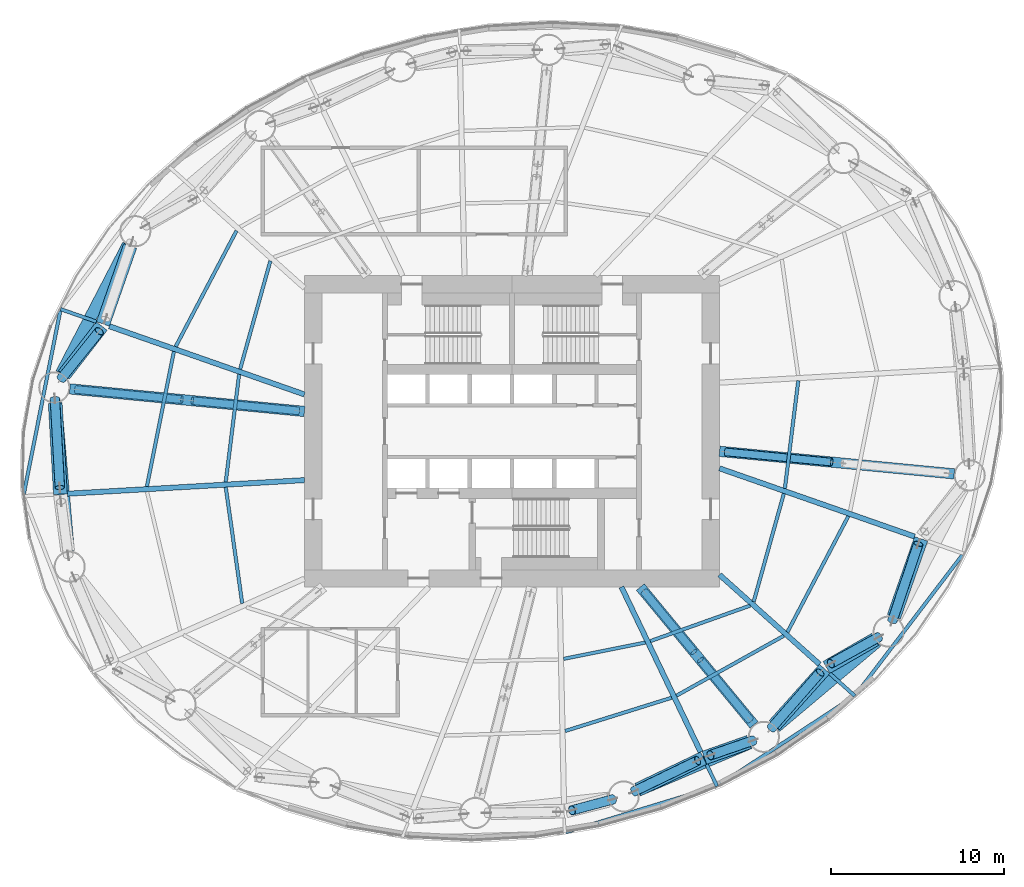
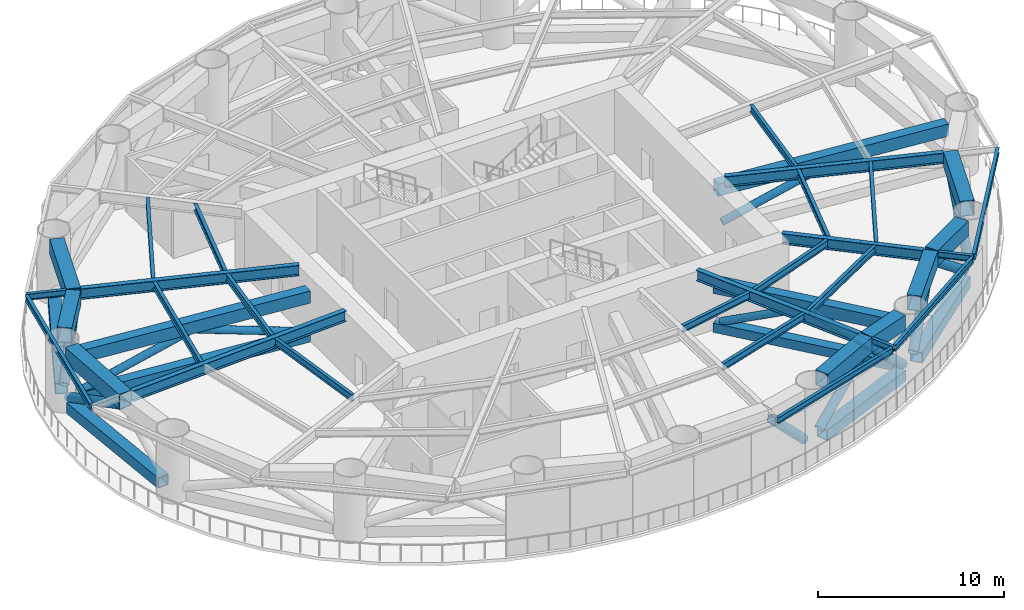
# One storey, part 2 of 15: 30 members, 24 beams.
"""IFC4 building model written with IfcOpenShell, lengths in metres."""

from ifc_helpers import new_model, si_unit, direction, frame, origin, origin_2d, place, context, subcontext, project, spatial, hollow_rectangle, hollow_circle, i_section, extrude, material, material_profile, profile_set, type_object, element, save


model = new_model("IFC4")

# Units and contexts
model_context = context("Model", 3, precision=1e-05, world=origin(), true_north=direction((0.0, 1.0)))
body_context = subcontext(model_context, "Body", "Model", "MODEL_VIEW")
ifc_project = project(units=[si_unit("LENGTHUNIT", "METRE"), si_unit("AREAUNIT", "SQUARE_METRE"), si_unit("VOLUMEUNIT", "CUBIC_METRE"), si_unit("PLANEANGLEUNIT", "RADIAN"), si_unit("MASSUNIT", "GRAM", prefix="KILO")], contexts=[model_context])

# Site, building, storey
site_placement = place(None, origin())
site = spatial("IfcSite", under=ifc_project, at=site_placement, CompositionType="ELEMENT")
building_placement = place(site_placement, origin())
building = spatial("IfcBuilding", under=site, at=building_placement, Name="Vermilion Reach Broadcast Tower", CompositionType="ELEMENT")
storey_placement = place(building_placement, frame((0.0, 0.0, 84.10009765625)))
storey = spatial("IfcBuildingStorey", under=building, at=storey_placement, Name="L18", CompositionType="ELEMENT", Elevation=84.10009765625)

# Members
ifc_material_1 = material(Name="Steel S460NL", Category="steel")
ifc_material_profile_1 = material_profile(ifc_material_1, hollow_rectangle(XDim=0.699951171875, YDim=0.699951171875, WallThickness=0.034912109375, at=origin_2d()), Name="S460NL BOX 700x700x35")
ifc_profile_set_1 = profile_set([ifc_material_profile_1], Name="Steel S460NL")
member_type_1 = type_object("IfcMemberType", Name="BT1-BC BOX 700x700x35", PredefinedType="CHORD", material=ifc_profile_set_1)
member_1_placement = place(storey_placement, frame((-28.194091796875, 10.776611328125, 0.349853515625), z_axis=(-0.460411617218, -0.887705549566, 0.0), x_axis=(0.887705549566, -0.460411617218, 0.0)))
element("IfcMember", 1, at=member_1_placement, inside=storey, type_object=member_type_1, Name="Belt truss bottom chord BT1-BC07", PredefinedType="CHORD", context=body_context, shape_type="SweptSolid", body=[
    extrude(hollow_rectangle(XDim=0.699951171875, YDim=0.699951171875, WallThickness=0.034912109375, at=origin_2d()), origin(), (0.0, 0.0, 1.0), 8.37451171875),
])
member_2_placement = place(storey_placement, frame((-32.38720703125, 1.646728515625, 0.349853515625), z_axis=(0.085395508608, -0.996347131832, 0.0), x_axis=(0.996347131832, 0.085395508608, 0.0)))
element("IfcMember", 2, at=member_2_placement, inside=storey, type_object=member_type_1, Name="Belt truss bottom chord BT1-BC08", PredefinedType="CHORD", context=body_context, shape_type="SweptSolid", body=[
    extrude(hollow_rectangle(XDim=0.699951171875, YDim=0.699951171875, WallThickness=0.034912109375, at=origin_2d()), origin(), (0.0, 0.0, 1.0), 8.60546875),
])
member_3_placement = place(storey_placement, frame((1.28564453125, -20.755859375, 0.349853515625), z_axis=(0.920220846584, 0.391399531825, 0.0), x_axis=(-0.391399531825, 0.920220846584, 0.0)))
element("IfcMember", 3, at=member_3_placement, inside=storey, type_object=member_type_1, Name="Belt truss bottom chord BT1-BC13", PredefinedType="CHORD", context=body_context, shape_type="SweptSolid", body=[
    extrude(hollow_rectangle(XDim=0.699951171875, YDim=0.699951171875, WallThickness=0.034912109375, at=origin_2d()), origin(), (0.0, 0.0, 1.0), 7.008544921875),
])
member_4_placement = place(storey_placement, frame((9.251220703125, -17.080322265625, 0.349853515625), z_axis=(0.764512441084, 0.6446089725, 0.0), x_axis=(-0.6446089725, 0.764512441084, 0.0)))
element("IfcMember", 4, at=member_4_placement, inside=storey, type_object=member_type_1, Name="Belt truss bottom chord BT1-BC14", PredefinedType="CHORD", context=body_context, shape_type="SweptSolid", body=[
    extrude(hollow_rectangle(XDim=0.699951171875, YDim=0.699951171875, WallThickness=0.034912109375, at=origin_2d()), origin(), (0.0, 0.0, 1.0), 7.6396484375),
])
ifc_material_2 = material(Name="Steel S355J2H", Category="steel")
ifc_material_profile_2 = material_profile(ifc_material_2, hollow_circle(Radius=0.279541015625, WallThickness=0.02490234375, at=origin_2d()), Name="S355J2H CHS 559x25")
ifc_profile_set_2 = profile_set([ifc_material_profile_2], Name="Steel S355J2H")
member_type_2 = type_object("IfcMemberType", Name="BT1-D CHS 559x25", PredefinedType="BRACE", material=ifc_profile_set_2)
member_5_placement = place(storey_placement, frame((-32.0576171875, 3.05078125, 0.7998046875), z_axis=(0.506513804906, 0.632325298383, 0.586181270995), x_axis=(-0.780475145905, 0.625186809381, 0.0)))
element("IfcMember", 5, at=member_5_placement, inside=storey, type_object=member_type_2, Name="Belt truss diagonal BT1-D07B", PredefinedType="BRACE", context=body_context, shape_type="SweptSolid", body=[
    extrude(hollow_circle(Radius=0.279541015625, WallThickness=0.02490234375, at=origin_2d()), origin(), (0.0, 0.0, 1.0), 4.333251953125),
])
member_6_placement = place(storey_placement, frame((-32.42822265625, 1.89453125, 0.7998046875), z_axis=(0.049658747066, -0.895473057106, 0.44233699013), x_axis=(0.99846589108, 0.055370247877, 0.0)))
element("IfcMember", 6, at=member_6_placement, inside=storey, type_object=member_type_2, Name="Belt truss diagonal BT1-D08A", PredefinedType="BRACE", context=body_context, shape_type="SweptSolid", body=[
    extrude(hollow_circle(Radius=0.279541015625, WallThickness=0.02490234375, at=origin_2d()), origin(), (0.0, 0.0, 1.0), 5.742431640625),
])
member_7_placement = place(storey_placement, frame((-0.17041015625, -21.276611328125, 0.7998046875), z_axis=(-0.670470909418, -0.179880751675, 0.719799746319), x_axis=(0.259126298483, -0.965843445614, 0.0)))
element("IfcMember", 7, at=member_7_placement, inside=storey, type_object=member_type_2, Name="Belt truss diagonal BT1-D12B", PredefinedType="BRACE", context=body_context, shape_type="SweptSolid", body=[
    extrude(hollow_circle(Radius=0.279541015625, WallThickness=0.02490234375, at=origin_2d()), origin(), (0.0, 0.0, 1.0), 3.52880859375),
])
member_8_placement = place(storey_placement, frame((1.04248046875, -20.82470703125, 0.7998046875), z_axis=(0.764989537985, 0.37059718187, 0.526734027346), x_axis=(-0.43598121747, 0.899955764476, 0.0)))
element("IfcMember", 8, at=member_8_placement, inside=storey, type_object=member_type_2, Name="Belt truss diagonal BT1-D13A", PredefinedType="BRACE", context=body_context, shape_type="SweptSolid", body=[
    extrude(hollow_circle(Radius=0.279541015625, WallThickness=0.02490234375, at=origin_2d()), origin(), (0.0, 0.0, 1.0), 4.822265625),
])
member_9_placement = place(storey_placement, frame((7.948486328125, -17.87158203125, 0.7998046875), z_axis=(-0.679369747183, -0.233610658071, 0.695616853626), x_axis=(0.325176003768, -0.94565351296, 0.0)))
element("IfcMember", 9, at=member_9_placement, inside=storey, type_object=member_type_2, Name="Belt truss diagonal BT1-D13B", PredefinedType="BRACE", context=body_context, shape_type="SweptSolid", body=[
    extrude(hollow_circle(Radius=0.279541015625, WallThickness=0.02490234375, at=origin_2d()), origin(), (0.0, 0.0, 1.0), 3.651611328125),
])
member_10_placement = place(storey_placement, frame((8.9912109375, -17.171142578125, 0.7998046875), z_axis=(0.566834456131, 0.647636017785, 0.50918197907), x_axis=(-0.752488623405, 0.658605247206, 0.0)))
element("IfcMember", 10, at=member_10_placement, inside=storey, type_object=member_type_2, Name="Belt truss diagonal BT1-D14A", PredefinedType="BRACE", context=body_context, shape_type="SweptSolid", body=[
    extrude(hollow_circle(Radius=0.279541015625, WallThickness=0.02490234375, at=origin_2d()), origin(), (0.0, 0.0, 1.0), 4.988525390625),
])
member_11_placement = place(storey_placement, frame((15.210693359375, -11.889892578125, 0.7998046875), z_axis=(-0.683675941007, -0.377438588085, 0.624601729034), x_axis=(0.483311033101, -0.875448710824, 0.0)))
element("IfcMember", 11, at=member_11_placement, inside=storey, type_object=member_type_2, Name="Belt truss diagonal BT1-D14B", PredefinedType="BRACE", context=body_context, shape_type="SweptSolid", body=[
    extrude(hollow_circle(Radius=0.279541015625, WallThickness=0.02490234375, at=origin_2d()), origin(), (0.0, 0.0, 1.0), 4.066650390625),
])
member_12_placement = place(storey_placement, frame((15.98779296875, -10.9599609375, 0.7998046875), z_axis=(0.281685491613, 0.833736105056, 0.474907770983), x_axis=(-0.947389095401, 0.320084210661, 0.0)))
element("IfcMember", 12, at=member_12_placement, inside=storey, type_object=member_type_2, Name="Belt truss diagonal BT1-D15A", PredefinedType="BRACE", context=body_context, shape_type="SweptSolid", body=[
    extrude(hollow_circle(Radius=0.279541015625, WallThickness=0.02490234375, at=origin_2d()), origin(), (0.0, 0.0, 1.0), 5.348388671875),
])
ifc_material_3 = material(Name="Steel S460NL", Category="steel")
ifc_material_profile_3 = material_profile(ifc_material_3, hollow_rectangle(XDim=0.800048828125, YDim=1.0, WallThickness=0.0400390625, at=origin_2d()), Name="S460NL BOX 800x1000x40")
ifc_profile_set_3 = profile_set([ifc_material_profile_3], Name="Steel S460NL")
member_type_3 = type_object("IfcMemberType", Name="BT1-TC BOX 800x1000x40", PredefinedType="CHORD", material=ifc_profile_set_3)
member_13_placement = place(storey_placement, frame((-28.080078125, 10.716552734375, 3.849853515625), z_axis=(-0.33011343059, -0.943941270919, 0.0), x_axis=(0.943941270919, -0.33011343059, 0.0)))
element("IfcMember", 13, at=member_13_placement, inside=storey, type_object=member_type_3, Name="Belt truss top chord BT1-TC13", PredefinedType="CHORD", context=body_context, shape_type="SweptSolid", body=[
    extrude(hollow_rectangle(XDim=0.800048828125, YDim=1.0, WallThickness=0.0400390625, at=origin_2d()), origin(), (0.0, 0.0, 1.0), 4.7724609375),
])
member_14_placement = place(storey_placement, frame((-29.721435546875, 6.09033203125, 3.849853515625), z_axis=(-0.611729400158, -0.791067090064, 0.0), x_axis=(0.791067090064, -0.611729400158, 0.0)))
element("IfcMember", 14, at=member_14_placement, inside=storey, type_object=member_type_3, Name="Belt truss top chord BT1-TC14", PredefinedType="CHORD", context=body_context, shape_type="SweptSolid", body=[
    extrude(hollow_rectangle(XDim=0.800048828125, YDim=1.0, WallThickness=0.0400390625, at=origin_2d()), origin(), (0.0, 0.0, 1.0), 3.573486328125),
])
member_15_placement = place(storey_placement, frame((-32.412109375, 1.635009765625, 3.849853515625), z_axis=(0.057342625161, -0.99835455793, 0.0), x_axis=(0.99835455793, 0.057342625161, 0.0)))
element("IfcMember", 15, at=member_15_placement, inside=storey, type_object=member_type_3, Name="Belt truss top chord BT1-TC15", PredefinedType="CHORD", context=body_context, shape_type="SweptSolid", body=[
    extrude(hollow_rectangle(XDim=0.800048828125, YDim=1.0, WallThickness=0.0400390625, at=origin_2d()), origin(), (0.0, 0.0, 1.0), 5.27099609375),
])
member_16_placement = place(storey_placement, frame((1.27783203125, -20.714599609375, 3.849853515625), z_axis=(0.901599924003, 0.4325708925, 0.0), x_axis=(-0.4325708925, 0.901599924003, 0.0)))
element("IfcMember", 16, at=member_16_placement, inside=storey, type_object=member_type_3, Name="Belt truss top chord BT1-TC25", PredefinedType="CHORD", context=body_context, shape_type="SweptSolid", body=[
    extrude(hollow_rectangle(XDim=0.800048828125, YDim=1.0, WallThickness=0.0400390625, at=origin_2d()), origin(), (0.0, 0.0, 1.0), 4.212158203125),
])
member_17_placement = place(storey_placement, frame((5.124755859375, -18.872314453125, 3.849853515625), z_axis=(0.943136863934, 0.332404656841, 0.0), x_axis=(-0.332404656841, 0.943136863934, 0.0)))
element("IfcMember", 17, at=member_17_placement, inside=storey, type_object=member_type_3, Name="Belt truss top chord BT1-TC26", PredefinedType="CHORD", context=body_context, shape_type="SweptSolid", body=[
    extrude(hollow_rectangle(XDim=0.800048828125, YDim=1.0, WallThickness=0.0400390625, at=origin_2d()), origin(), (0.0, 0.0, 1.0), 2.73583984375),
])
member_18_placement = place(storey_placement, frame((9.170166015625, -16.982421875, 3.849853515625), z_axis=(0.667028891454, 0.745031850302, 0.0), x_axis=(-0.745031850302, 0.667028891454, 0.0)))
element("IfcMember", 18, at=member_18_placement, inside=storey, type_object=member_type_3, Name="Belt truss top chord BT1-TC27", PredefinedType="CHORD", context=body_context, shape_type="SweptSolid", body=[
    extrude(hollow_rectangle(XDim=0.800048828125, YDim=1.0, WallThickness=0.0400390625, at=origin_2d()), origin(), (0.0, 0.0, 1.0), 4.35986328125),
])
member_19_placement = place(storey_placement, frame((12.184326171875, -13.648193359375, 3.849853515625), z_axis=(0.866363659243, 0.499413666156, 0.0), x_axis=(-0.499413666156, 0.866363659243, 0.0)))
element("IfcMember", 19, at=member_19_placement, inside=storey, type_object=member_type_3, Name="Belt truss top chord BT1-TC28", PredefinedType="CHORD", context=body_context, shape_type="SweptSolid", body=[
    extrude(hollow_rectangle(XDim=0.800048828125, YDim=1.0, WallThickness=0.0400390625, at=origin_2d()), origin(), (0.0, 0.0, 1.0), 3.240234375),
])
member_20_placement = place(storey_placement, frame((16.080078125, -10.716552734375, 3.849853515625), z_axis=(0.33011343059, 0.943941270919, 0.0), x_axis=(-0.943941270919, 0.33011343059, 0.0)))
element("IfcMember", 20, at=member_20_placement, inside=storey, type_object=member_type_3, Name="Belt truss top chord BT1-TC29", PredefinedType="CHORD", context=body_context, shape_type="SweptSolid", body=[
    extrude(hollow_rectangle(XDim=0.800048828125, YDim=1.0, WallThickness=0.0400390625, at=origin_2d()), origin(), (0.0, 0.0, 1.0), 4.7724609375),
])

# Beams
ifc_material_4 = material(Name="Steel S355J2", Category="steel")
ifc_material_profile_4 = material_profile(ifc_material_4, i_section(OverallWidth=0.199951171875, OverallDepth=0.39990234375, WebThickness=0.008056640625, FlangeThickness=0.012939453125, at=origin_2d()), Name="S355J2 HN 400x200x8x13")
ifc_profile_set_4 = profile_set([ifc_material_profile_4], Name="Steel S355J2")
beam_type_1 = type_object("IfcBeamType", Name="EB2 HN 400x200x8x13", PredefinedType="BEAM", material=ifc_profile_set_4)
beam_1_placement = place(storey_placement, frame((-32.11962890625, 6.967529296875, 4.14990234375), z_axis=(-0.195053344977, -0.980792634869, 0.0), x_axis=(0.980792634869, -0.195053344977, 0.0)))
element("IfcBeam", 21, at=beam_1_placement, inside=storey, type_object=beam_type_1, Name="Edge beam EB2-07", PredefinedType="BEAM", context=body_context, shape_type="SweptSolid", body=[
    extrude(i_section(OverallWidth=0.199951171875, OverallDepth=0.39990234375, WebThickness=0.008056640625, FlangeThickness=0.012939453125, at=origin_2d()), origin(), (0.0, 0.0, 1.0), 10.824462890625),
])
beam_2_placement = place(storey_placement, frame((-2.88330078125, -23.1787109375, 4.14990234375), z_axis=(0.956574319511, 0.291488543947, 0.0), x_axis=(-0.291488543947, 0.956574319511, 0.0)))
element("IfcBeam", 22, at=beam_2_placement, inside=storey, type_object=beam_type_1, Name="Edge beam EB2-12", PredefinedType="BEAM", context=body_context, shape_type="SweptSolid", body=[
    extrude(i_section(OverallWidth=0.199951171875, OverallDepth=0.39990234375, WebThickness=0.008056640625, FlangeThickness=0.012939453125, at=origin_2d()), origin(), (0.0, 0.0, 1.0), 9.033203125),
])
beam_3_placement = place(storey_placement, frame((5.938720703125, -20.4609375, 4.14990234375), z_axis=(0.836440015471, 0.548058482755, 0.0), x_axis=(-0.548058482755, 0.836440015471, 0.0)))
element("IfcBeam", 23, at=beam_3_placement, inside=storey, type_object=beam_type_1, Name="Edge beam EB2-13", PredefinedType="BEAM", context=body_context, shape_type="SweptSolid", body=[
    extrude(i_section(OverallWidth=0.199951171875, OverallDepth=0.39990234375, WebThickness=0.008056640625, FlangeThickness=0.012939453125, at=origin_2d()), origin(), (0.0, 0.0, 1.0), 9.32177734375),
])
beam_4_placement = place(storey_placement, frame((13.883056640625, -15.215576171875, 4.14990234375), z_axis=(0.60654123634, 0.795052028875, 0.0), x_axis=(-0.795052028875, 0.60654123634, 0.0)))
element("IfcBeam", 24, at=beam_4_placement, inside=storey, type_object=beam_type_1, Name="Edge beam EB2-14", PredefinedType="BEAM", context=body_context, shape_type="SweptSolid", body=[
    extrude(i_section(OverallWidth=0.199951171875, OverallDepth=0.39990234375, WebThickness=0.008056640625, FlangeThickness=0.012939453125, at=origin_2d()), origin(), (0.0, 0.0, 1.0), 10.14453125),
])
ifc_material_5 = material(Name="Steel S355J2", Category="steel")
ifc_material_profile_5 = material_profile(ifc_material_5, i_section(OverallWidth=0.300048828125, OverallDepth=0.699951171875, WebThickness=0.012939453125, FlangeThickness=0.02392578125, at=origin_2d()), Name="S355J2 HN 700x300x13x24")
ifc_profile_set_5 = profile_set([ifc_material_profile_5], Name="Steel S355J2")
beam_type_2 = type_object("IfcBeamType", Name="G2 HN 700x300x13x24", PredefinedType="BEAM", material=ifc_profile_set_5)
beam_5_placement = place(storey_placement, frame((-18.0, 2.135986328125, 4.0), z_axis=(-0.943946886704, 0.330097372122, 0.0), x_axis=(-0.330097372122, -0.943946886704, 0.0)))
element("IfcBeam", 25, at=beam_5_placement, inside=storey, type_object=beam_type_2, Name="Girder G2-07", PredefinedType="BEAM", context=body_context, shape_type="SweptSolid", body=[
    extrude(i_section(OverallWidth=0.300048828125, OverallDepth=0.699951171875, WebThickness=0.012939453125, FlangeThickness=0.02392578125, at=origin_2d()), origin(), (0.0, 0.0, 1.0), 11.947509765625),
])
beam_6_placement = place(storey_placement, frame((-18.0, -2.8173828125, 4.0), z_axis=(-0.998357215191, -0.057296342609, 0.0), x_axis=(0.057296342609, -0.998357215191, 0.0)))
element("IfcBeam", 26, at=beam_6_placement, inside=storey, type_object=beam_type_2, Name="Girder G2-08", PredefinedType="BEAM", context=body_context, shape_type="SweptSolid", body=[
    extrude(i_section(OverallWidth=0.300048828125, OverallDepth=0.699951171875, WebThickness=0.012939453125, FlangeThickness=0.02392578125, at=origin_2d()), origin(), (0.0, 0.0, 1.0), 13.733154296875),
])
beam_7_placement = place(storey_placement, frame((0.329833984375, -9.0, 4.0), z_axis=(0.432531358319, -0.901618890702, 0.0), x_axis=(0.901618890702, 0.432531358319, 0.0)))
element("IfcBeam", 27, at=beam_7_placement, inside=storey, type_object=beam_type_2, Name="Girder G2-13", PredefinedType="BEAM", context=body_context, shape_type="SweptSolid", body=[
    extrude(i_section(OverallWidth=0.300048828125, OverallDepth=0.699951171875, WebThickness=0.012939453125, FlangeThickness=0.02392578125, at=origin_2d()), origin(), (0.0, 0.0, 1.0), 10.572021484375),
])
beam_8_placement = place(storey_placement, frame((6.0, -8.2919921875, 4.0), z_axis=(0.745033065575, -0.667027534065, 0.0), x_axis=(0.667027534065, 0.745033065575, 0.0)))
element("IfcBeam", 28, at=beam_8_placement, inside=storey, type_object=beam_type_2, Name="Girder G2-14", PredefinedType="BEAM", context=body_context, shape_type="SweptSolid", body=[
    extrude(i_section(OverallWidth=0.300048828125, OverallDepth=0.699951171875, WebThickness=0.012939453125, FlangeThickness=0.02392578125, at=origin_2d()), origin(), (0.0, 0.0, 1.0), 7.7587890625),
])
beam_9_placement = place(storey_placement, frame((6.0, -2.135986328125, 4.0), z_axis=(0.943946886704, -0.330097372122, 0.0), x_axis=(0.330097372122, 0.943946886704, 0.0)))
element("IfcBeam", 29, at=beam_9_placement, inside=storey, type_object=beam_type_2, Name="Girder G2-15", PredefinedType="BEAM", context=body_context, shape_type="SweptSolid", body=[
    extrude(i_section(OverallWidth=0.300048828125, OverallDepth=0.699951171875, WebThickness=0.012939453125, FlangeThickness=0.02392578125, at=origin_2d()), origin(), (0.0, 0.0, 1.0), 11.947509765625),
])
ifc_material_6 = material(Name="Steel S355J2", Category="steel")
ifc_material_profile_6 = material_profile(ifc_material_6, i_section(OverallWidth=0.199951171875, OverallDepth=0.39990234375, WebThickness=0.008056640625, FlangeThickness=0.012939453125, at=origin_2d()), Name="S355J2 HN 400x200x8x13")
ifc_profile_set_6 = profile_set([ifc_material_profile_6], Name="Steel S355J2")
beam_type_3 = type_object("IfcBeamType", Name="GC2 HN 400x200x8x13", PredefinedType="BEAM", material=ifc_profile_set_6)
beam_10_placement = place(storey_placement, frame((-30.033203125, 6.34375, 4.14990234375), z_axis=(-0.943931340086, 0.330141825891, 0.0), x_axis=(-0.330141825891, -0.943931340086, 0.0)))
element("IfcBeam", 30, at=beam_10_placement, inside=storey, type_object=beam_type_3, Name="Cantilever girder GC2-07", PredefinedType="BEAM", context=body_context, shape_type="SweptSolid", body=[
    extrude(i_section(OverallWidth=0.199951171875, OverallDepth=0.39990234375, WebThickness=0.008056640625, FlangeThickness=0.012939453125, at=origin_2d()), origin(), (0.0, 0.0, 1.0), 2.189697265625),
])
beam_11_placement = place(storey_placement, frame((5.24853515625, -19.253173828125, 4.14990234375), z_axis=(0.432583743936, -0.90159375801, 0.0), x_axis=(0.90159375801, 0.432583743936, 0.0)))
element("IfcBeam", 31, at=beam_11_placement, inside=storey, type_object=beam_type_3, Name="Cantilever girder GC2-13", PredefinedType="BEAM", context=body_context, shape_type="SweptSolid", body=[
    extrude(i_section(OverallWidth=0.199951171875, OverallDepth=0.39990234375, WebThickness=0.008056640625, FlangeThickness=0.012939453125, at=origin_2d()), origin(), (0.0, 0.0, 1.0), 1.40087890625),
])
beam_12_placement = place(storey_placement, frame((12.37646484375, -14.0009765625, 4.14990234375), z_axis=(0.745030694334, -0.6670301826, 0.0), x_axis=(0.6670301826, 0.745030694334, 0.0)))
element("IfcBeam", 32, at=beam_12_placement, inside=storey, type_object=beam_type_3, Name="Cantilever girder GC2-14", PredefinedType="BEAM", context=body_context, shape_type="SweptSolid", body=[
    extrude(i_section(OverallWidth=0.199951171875, OverallDepth=0.39990234375, WebThickness=0.008056640625, FlangeThickness=0.012939453125, at=origin_2d()), origin(), (0.0, 0.0, 1.0), 1.940673828125),
])

# Members
ifc_material_7 = material(Name="Steel S460NL", Category="steel")
ifc_material_profile_7 = material_profile(ifc_material_7, hollow_rectangle(XDim=0.60009765625, YDim=0.60009765625, WallThickness=0.030029296875, at=origin_2d()), Name="S460NL BOX 600x600x30")
ifc_profile_set_7 = profile_set([ifc_material_profile_7], Name="Steel S460NL")
member_type_4 = type_object("IfcMemberType", Name="OR1-BC BOX 600x600x30", PredefinedType="CHORD", material=ifc_profile_set_7)
member_21_placement = place(storey_placement, frame((-18.0, 1.1533203125, 0.2998046875), z_axis=(-0.995412178872, 0.095679643363, 0.0), x_axis=(-0.095679643363, -0.995412178872, 0.0)))
element("IfcMember", 33, at=member_21_placement, inside=storey, type_object=member_type_4, Name="Outrigger bottom chord OR1-08", PredefinedType="CHORD", context=body_context, shape_type="SweptSolid", body=[
    extrude(hollow_rectangle(XDim=0.60009765625, YDim=0.60009765625, WallThickness=0.030029296875, at=origin_2d()), origin(), (0.0, 0.0, 1.0), 13.630859375),
])
member_22_placement = place(storey_placement, frame((1.421630859375, -9.0, 0.2998046875), z_axis=(0.636215165107, -0.77151167437, 0.0), x_axis=(0.77151167437, 0.636215165107, 0.0)))
element("IfcMember", 34, at=member_22_placement, inside=storey, type_object=member_type_4, Name="Outrigger bottom chord OR1-14", PredefinedType="CHORD", context=body_context, shape_type="SweptSolid", body=[
    extrude(hollow_rectangle(XDim=0.60009765625, YDim=0.60009765625, WallThickness=0.030029296875, at=origin_2d()), origin(), (0.0, 0.0, 1.0), 10.3251953125),
])
ifc_material_8 = material(Name="Steel S355J2H", Category="steel")
ifc_material_profile_8 = material_profile(ifc_material_8, hollow_circle(Radius=0.228515625, WallThickness=0.02001953125, at=origin_2d()), Name="S355J2H CHS 457x20")
ifc_profile_set_8 = profile_set([ifc_material_profile_8], Name="Steel S355J2H")
member_type_5 = type_object("IfcMemberType", Name="OR1-D CHS 457x20", PredefinedType="BRACE", material=ifc_profile_set_8)
for number, where, z_axis, x_axis, name in (
    (35, (-18.348388671875, 1.186767578125, 0.599853515625), (-0.949078080434, 0.091215396703, 0.301546926105), (-0.095668644216, -0.995413236055, 0.0), "Outrigger diagonal OR1-08-DA"),
    (36, (-31.219970703125, 2.424072265625, 0.599853515625), (0.949074811329, -0.091252837098, 0.301545887425), (0.095707879522, 0.99540946439, 0.0), "Outrigger diagonal OR1-08-DB"),
):
    element("IfcMember", number, at=place(storey_placement, frame(where, z_axis=z_axis, x_axis=x_axis)), inside=storey, type_object=member_type_5, Name=name, PredefinedType="BRACE", context=body_context, shape_type="SweptSolid", body=[
        extrude(hollow_circle(Radius=0.228515625, WallThickness=0.02001953125, at=origin_2d()), origin(), (0.0, 0.0, 1.0), 6.466552734375),
    ])
member_23_placement = place(storey_placement, frame((1.644287109375, -9.27001953125, 0.599853515625), z_axis=(0.584043821904, -0.708202797649, 0.39666309571), x_axis=(0.771492775965, 0.636238081722, 0.0)))
element("IfcMember", 37, at=member_23_placement, inside=storey, type_object=member_type_5, Name="Outrigger diagonal OR1-14-DA", PredefinedType="BRACE", context=body_context, shape_type="SweptSolid", body=[
    extrude(hollow_circle(Radius=0.228515625, WallThickness=0.02001953125, at=origin_2d()), origin(), (0.0, 0.0, 1.0), 4.915771484375),
])
member_24_placement = place(storey_placement, frame((7.76806640625, -16.696044921875, 0.599853515625), z_axis=(-0.58402328034, 0.7082275511, 0.396649144564), x_axis=(-0.771514674975, -0.63621152638, 0.0)))
element("IfcMember", 38, at=member_24_placement, inside=storey, type_object=member_type_5, Name="Outrigger diagonal OR1-14-DB", PredefinedType="BRACE", context=body_context, shape_type="SweptSolid", body=[
    extrude(hollow_circle(Radius=0.228515625, WallThickness=0.02001953125, at=origin_2d()), origin(), (0.0, 0.0, 1.0), 4.916015625),
])
member_25_placement = place(storey_placement, frame((6.348388671875, -1.186767578125, 0.599853515625), z_axis=(0.949078080434, -0.091215396703, 0.301546926105), x_axis=(0.095668644216, 0.995413236055, 0.0)))
element("IfcMember", 39, at=member_25_placement, inside=storey, type_object=member_type_5, Name="Outrigger diagonal OR1-16-DA", PredefinedType="BRACE", context=body_context, shape_type="SweptSolid", body=[
    extrude(hollow_circle(Radius=0.228515625, WallThickness=0.02001953125, at=origin_2d()), origin(), (0.0, 0.0, 1.0), 6.466552734375),
])
ifc_material_9 = material(Name="Steel S460NL", Category="steel")
ifc_material_profile_9 = material_profile(ifc_material_9, hollow_rectangle(XDim=0.60009765625, YDim=0.800048828125, WallThickness=0.030029296875, at=origin_2d()), Name="S460NL BOX 600x800x30")
ifc_profile_set_9 = profile_set([ifc_material_profile_9], Name="Steel S460NL")
member_type_6 = type_object("IfcMemberType", Name="OR1-TC BOX 600x800x30", PredefinedType="CHORD", material=ifc_profile_set_9)
member_26_placement = place(storey_placement, frame((-18.0, 1.1533203125, 2.949951171875), z_axis=(-0.995412178872, 0.095679643363, 0.0), x_axis=(-0.095679643363, -0.995412178872, 0.0)))
element("IfcMember", 40, at=member_26_placement, inside=storey, type_object=member_type_6, Name="Outrigger top chord OR1-08", PredefinedType="CHORD", context=body_context, shape_type="SweptSolid", body=[
    extrude(hollow_rectangle(XDim=0.60009765625, YDim=0.800048828125, WallThickness=0.030029296875, at=origin_2d()), origin(), (0.0, 0.0, 1.0), 13.630859375),
])
member_27_placement = place(storey_placement, frame((1.421630859375, -9.0, 2.949951171875), z_axis=(0.636215165107, -0.77151167437, 0.0), x_axis=(0.77151167437, 0.636215165107, 0.0)))
element("IfcMember", 41, at=member_27_placement, inside=storey, type_object=member_type_6, Name="Outrigger top chord OR1-14", PredefinedType="CHORD", context=body_context, shape_type="SweptSolid", body=[
    extrude(hollow_rectangle(XDim=0.60009765625, YDim=0.800048828125, WallThickness=0.030029296875, at=origin_2d()), origin(), (0.0, 0.0, 1.0), 10.3251953125),
])
member_28_placement = place(storey_placement, frame((6.0, -1.1533203125, 2.949951171875), z_axis=(0.995412178872, -0.095679643363, 0.0), x_axis=(0.095679643363, 0.995412178872, 0.0)))
element("IfcMember", 42, at=member_28_placement, inside=storey, type_object=member_type_6, Name="Outrigger top chord OR1-16", PredefinedType="CHORD", context=body_context, shape_type="SweptSolid", body=[
    extrude(hollow_rectangle(XDim=0.60009765625, YDim=0.800048828125, WallThickness=0.030029296875, at=origin_2d()), origin(), (0.0, 0.0, 1.0), 13.630859375),
])

# Beams
ifc_material_10 = material(Name="Steel S355J2", Category="steel")
ifc_material_profile_10 = material_profile(ifc_material_10, i_section(OverallWidth=0.199951171875, OverallDepth=0.449951171875, WebThickness=0.009033203125, FlangeThickness=0.013916015625, at=origin_2d()), Name="S355J2 HN 450x200x9x14")
ifc_profile_set_10 = profile_set([ifc_material_profile_10], Name="Steel S355J2")
beam_type_4 = type_object("IfcBeamType", Name="SB2 HN 450x200x9x14", PredefinedType="BEAM", material=ifc_profile_set_10)
beam_13_placement = place(storey_placement, frame((-19.9716796875, 9.85595703125, 4.125), z_axis=(-0.268817606467, -0.963191099654, 0.0), x_axis=(0.963191099654, -0.268817606467, 0.0)))
element("IfcBeam", 43, at=beam_13_placement, inside=storey, type_object=beam_type_4, Name="Secondary beam SB2-06-1", PredefinedType="BEAM", context=body_context, shape_type="SweptSolid", body=[
    extrude(i_section(OverallWidth=0.199951171875, OverallDepth=0.449951171875, WebThickness=0.009033203125, FlangeThickness=0.013916015625, at=origin_2d()), origin(), (0.0, 0.0, 1.0), 6.5),
])
beam_14_placement = place(storey_placement, frame((-21.925537109375, 11.605224609375, 4.125), z_axis=(-0.465031601507, -0.885294080857, 0.0), x_axis=(0.885294080857, -0.465031601507, 0.0)))
element("IfcBeam", 44, at=beam_14_placement, inside=storey, type_object=beam_type_4, Name="Secondary beam SB2-06-2", PredefinedType="BEAM", context=body_context, shape_type="SweptSolid", body=[
    extrude(i_section(OverallWidth=0.199951171875, OverallDepth=0.449951171875, WebThickness=0.009033203125, FlangeThickness=0.013916015625, at=origin_2d()), origin(), (0.0, 0.0, 1.0), 7.57470703125),
])
beam_15_placement = place(storey_placement, frame((-21.7783203125, 3.298095703125, 4.125), z_axis=(-0.123234899174, -0.992377528779, 0.0), x_axis=(0.992377528779, -0.123234899174, 0.0)))
element("IfcBeam", 45, at=beam_15_placement, inside=storey, type_object=beam_type_4, Name="Secondary beam SB2-07-1", PredefinedType="BEAM", context=body_context, shape_type="SweptSolid", body=[
    extrude(i_section(OverallWidth=0.199951171875, OverallDepth=0.449951171875, WebThickness=0.009033203125, FlangeThickness=0.013916015625, at=origin_2d()), origin(), (0.0, 0.0, 1.0), 6.274169921875),
])
beam_16_placement = place(storey_placement, frame((-25.54833984375, 4.61669921875, 4.125), z_axis=(-0.196139724311, -0.980575957561, 0.0), x_axis=(0.980575957561, -0.196139724311, 0.0)))
element("IfcBeam", 46, at=beam_16_placement, inside=storey, type_object=beam_type_4, Name="Secondary beam SB2-07-2", PredefinedType="BEAM", context=body_context, shape_type="SweptSolid", body=[
    extrude(i_section(OverallWidth=0.199951171875, OverallDepth=0.449951171875, WebThickness=0.009033203125, FlangeThickness=0.013916015625, at=origin_2d()), origin(), (0.0, 0.0, 1.0), 7.961181640625),
])
beam_17_placement = place(storey_placement, frame((-22.549072265625, -3.228759765625, 4.125), z_axis=(0.140120501058, -0.990134458133, 0.0), x_axis=(0.990134458133, 0.140120501058, 0.0)))
element("IfcBeam", 47, at=beam_17_placement, inside=storey, type_object=beam_type_4, Name="Secondary beam SB2-08-1", PredefinedType="BEAM", context=body_context, shape_type="SweptSolid", body=[
    extrude(i_section(OverallWidth=0.199951171875, OverallDepth=0.449951171875, WebThickness=0.009033203125, FlangeThickness=0.013916015625, at=origin_2d()), origin(), (0.0, 0.0, 1.0), 6.779541015625),
])
beam_18_placement = place(storey_placement, frame((-3.017333984375, -13.155517578125, 4.125), z_axis=(0.980426268801, 0.19688659539, 0.0), x_axis=(-0.19688659539, 0.980426268801, 0.0)))
element("IfcBeam", 48, at=beam_18_placement, inside=storey, type_object=beam_type_4, Name="Secondary beam SB2-12-1", PredefinedType="BEAM", context=body_context, shape_type="SweptSolid", body=[
    extrude(i_section(OverallWidth=0.199951171875, OverallDepth=0.449951171875, WebThickness=0.009033203125, FlangeThickness=0.013916015625, at=origin_2d()), origin(), (0.0, 0.0, 1.0), 4.813720703125),
])
beam_19_placement = place(storey_placement, frame((-2.930419921875, -17.32470703125, 4.125), z_axis=(0.954544536569, 0.298068327246, 0.0), x_axis=(-0.298068327246, 0.954544536569, 0.0)))
element("IfcBeam", 49, at=beam_19_placement, inside=storey, type_object=beam_type_4, Name="Secondary beam SB2-12-2", PredefinedType="BEAM", context=body_context, shape_type="SweptSolid", body=[
    extrude(i_section(OverallWidth=0.199951171875, OverallDepth=0.449951171875, WebThickness=0.009033203125, FlangeThickness=0.013916015625, at=origin_2d()), origin(), (0.0, 0.0, 1.0), 6.45751953125),
])
beam_20_placement = place(storey_placement, frame((1.99609375, -12.126708984375, 4.125), z_axis=(0.942162385842, 0.335156737519, 0.0), x_axis=(-0.335156737519, 0.942162385842, 0.0)))
element("IfcBeam", 50, at=beam_20_placement, inside=storey, type_object=beam_type_4, Name="Secondary beam SB2-13-1", PredefinedType="BEAM", context=body_context, shape_type="SweptSolid", body=[
    extrude(i_section(OverallWidth=0.199951171875, OverallDepth=0.449951171875, WebThickness=0.009033203125, FlangeThickness=0.013916015625, at=origin_2d()), origin(), (0.0, 0.0, 1.0), 6.1240234375),
])
beam_21_placement = place(storey_placement, frame((3.509521484375, -15.281494140625, 4.125), z_axis=(0.873296973304, 0.487188255624, 0.0), x_axis=(-0.487188255624, 0.873296973304, 0.0)))
element("IfcBeam", 51, at=beam_21_placement, inside=storey, type_object=beam_type_4, Name="Secondary beam SB2-13-2", PredefinedType="BEAM", context=body_context, shape_type="SweptSolid", body=[
    extrude(i_section(OverallWidth=0.199951171875, OverallDepth=0.449951171875, WebThickness=0.009033203125, FlangeThickness=0.013916015625, at=origin_2d()), origin(), (0.0, 0.0, 1.0), 7.10595703125),
])
beam_22_placement = place(storey_placement, frame((7.9716796875, -9.85595703125, 4.125), z_axis=(0.268817606467, 0.963191099654, 0.0), x_axis=(-0.963191099654, 0.268817606467, 0.0)))
element("IfcBeam", 52, at=beam_22_placement, inside=storey, type_object=beam_type_4, Name="Secondary beam SB2-14-1", PredefinedType="BEAM", context=body_context, shape_type="SweptSolid", body=[
    extrude(i_section(OverallWidth=0.199951171875, OverallDepth=0.449951171875, WebThickness=0.009033203125, FlangeThickness=0.013916015625, at=origin_2d()), origin(), (0.0, 0.0, 1.0), 6.5),
])
beam_23_placement = place(storey_placement, frame((9.925537109375, -11.605224609375, 4.125), z_axis=(0.465031601507, 0.885294080857, 0.0), x_axis=(-0.885294080857, 0.465031601507, 0.0)))
element("IfcBeam", 53, at=beam_23_placement, inside=storey, type_object=beam_type_4, Name="Secondary beam SB2-14-2", PredefinedType="BEAM", context=body_context, shape_type="SweptSolid", body=[
    extrude(i_section(OverallWidth=0.199951171875, OverallDepth=0.449951171875, WebThickness=0.009033203125, FlangeThickness=0.013916015625, at=origin_2d()), origin(), (0.0, 0.0, 1.0), 7.57470703125),
])
beam_24_placement = place(storey_placement, frame((9.7783203125, -3.298095703125, 4.125), z_axis=(0.123234899174, 0.992377528779, 0.0), x_axis=(-0.992377528779, 0.123234899174, 0.0)))
element("IfcBeam", 54, at=beam_24_placement, inside=storey, type_object=beam_type_4, Name="Secondary beam SB2-15-1", PredefinedType="BEAM", context=body_context, shape_type="SweptSolid", body=[
    extrude(i_section(OverallWidth=0.199951171875, OverallDepth=0.449951171875, WebThickness=0.009033203125, FlangeThickness=0.013916015625, at=origin_2d()), origin(), (0.0, 0.0, 1.0), 6.274169921875),
])

save(model, "model.ifc")
